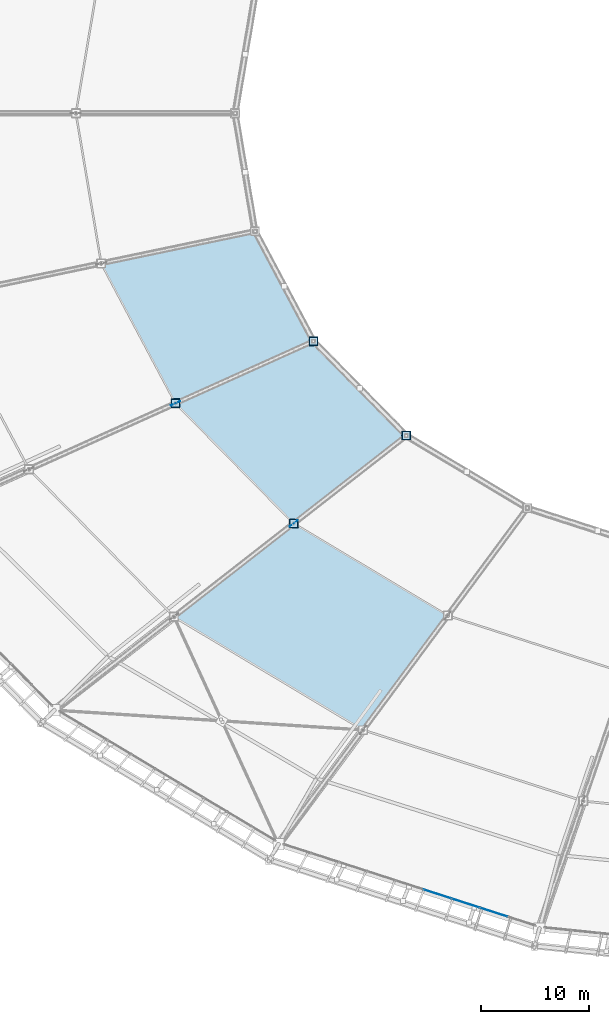
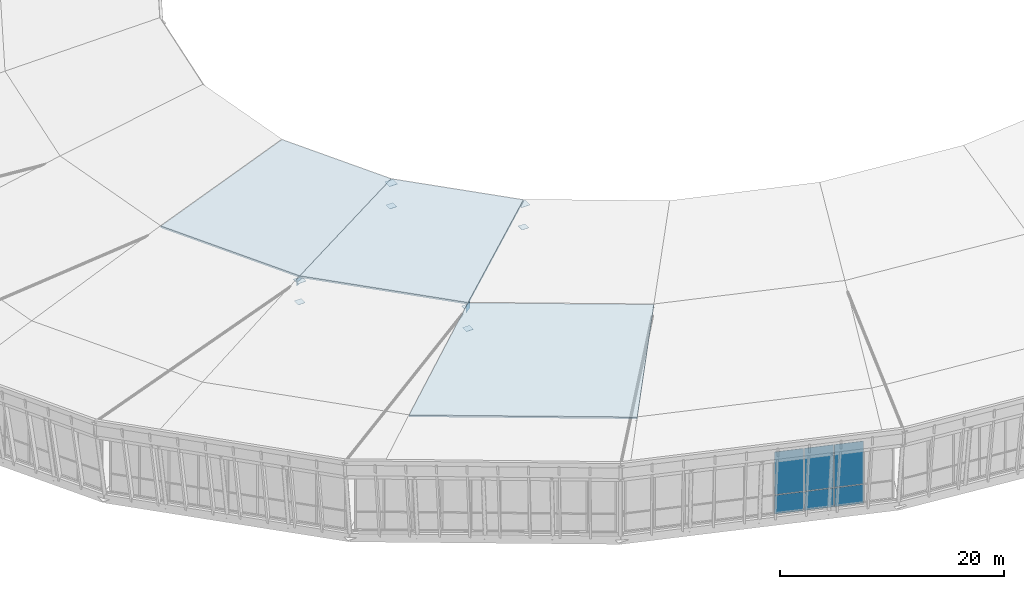
# One storey, part 81 of 115: 16 plates, 3 slabs, 3 elements without a shape of their own.
"""IFC4 building model written with IfcOpenShell, lengths in metres."""

from ifc_helpers import new_model, si_unit, direction, frame, origin, origin_2d, place, context, subcontext, project, spatial, polyline, rectangle, outline, extrude, material, layer, layer_set, type_object, element, aggregate, save


model = new_model("IFC4")

# Units and contexts
model_context = context("Model", 3, precision=1e-05, world=origin(), true_north=direction((0.0, 1.0)))
body_context = subcontext(model_context, "Body", "Model", "MODEL_VIEW")
ifc_project = project(units=[si_unit("LENGTHUNIT", "METRE"), si_unit("AREAUNIT", "SQUARE_METRE"), si_unit("VOLUMEUNIT", "CUBIC_METRE"), si_unit("PLANEANGLEUNIT", "RADIAN"), si_unit("MASSUNIT", "GRAM", prefix="KILO")], contexts=[model_context])

# Site, building, storey
site_placement = place(None, origin())
site = spatial("IfcSite", under=ifc_project, at=site_placement, CompositionType="ELEMENT")
building_placement = place(site_placement, origin())
building = spatial("IfcBuilding", under=site, at=building_placement, Name="Zlatoyarsky Gate Stadium", CompositionType="ELEMENT")
storey_placement = place(building_placement, frame((0.0, 0.0, 31.800048828125)))
storey = spatial("IfcBuildingStorey", under=building, at=storey_placement, Name="RF", CompositionType="ELEMENT", Elevation=31.800048828125)

# Roof, slabs
ifc_material_1 = material(Name="Standing-seam aluminium-zinc roofing with mineral wool insulation", Category="aluminium")
ifc_layer_1 = layer(ifc_material_1, 0.080078125)
ifc_layer_set_1 = layer_set([ifc_layer_1], Name="Standing-seam aluminium-zinc roofing with mineral wool insulation")
roof_type = type_object("IfcRoofType", Name="STADIUM BARREL VAULT ROOF ASSEMBLY", PredefinedType="BARREL_ROOF", material=ifc_layer_set_1)
roof_1_placement = place(storey_placement, origin())
roof_1 = element("IfcRoof", 1, at=roof_1_placement, inside=storey, type_object=roof_type, Name="Stadium barrel arch roof sector 5", PredefinedType="BARREL_ROOF")
ifc_material_2 = material(Name="Concrete C40/50", Category="concrete")
ifc_layer_2 = layer(ifc_material_2, 0.199951171875)
ifc_layer_set_2 = layer_set([ifc_layer_2], Name="Concrete C40/50")
slab_type = type_object("IfcSlabType", Name="COMPOSITE STADIUM ROOF DECK SLAB 200", PredefinedType="ROOF", material=ifc_layer_set_2)
slab_1_placement = place(storey_placement, frame((44.603271484375, 66.1220703125, 6.75), z_axis=(-0.164762027399, -0.087486990583, 0.982445673208), x_axis=(0.468975230927, -0.883211318302, -1.93843e-07)))
slab_1 = element("IfcSlab", 2, at=slab_1_placement, type_object=slab_type, Name="Stadium arched roof deck sector 13 bay 3", PredefinedType="ROOF", context=body_context, shape_type="SweptSolid", body=[
    extrude(outline(polyline([(0.0, 0.0), (14.642444595230506, -1.7763568394002505e-15), (15.550353376214641, 14.204881870937053), (4.044474844243187, 14.204854700251182), (0.0, 0.0)])), origin(), (0.0, 0.0, -1.0), 0.199951171875),
])
slab_2_placement = place(storey_placement, frame((51.47021484375, 53.189697265625, 6.75), z_axis=(-0.141161010432, -0.138856723893, 0.980200173109), x_axis=(0.701268194688, -0.712897551629, 1.130846e-06)))
slab_2 = element("IfcSlab", 3, at=slab_2_placement, type_object=slab_type, Name="Stadium arched roof deck sector 14 bay 3", PredefinedType="ROOF", context=body_context, shape_type="SweptSolid", body=[
    extrude(outline(polyline([(0.0, 0.0), (15.577591870662886, 0.0), (17.088906441996944, 13.382629616332784), (4.848086175728565, 13.382788489483769), (0.0, 0.0)])), origin(), (0.0, 0.0, -1.0), 0.199951171875),
])
aggregate(roof_1, [slab_1, slab_2])

# Roof, slab
roof_2_placement = place(storey_placement, origin())
roof_2 = element("IfcRoof", 4, at=roof_2_placement, inside=storey, type_object=roof_type, Name="Stadium barrel arch roof sector 6", PredefinedType="BARREL_ROOF")
slab_3_placement = place(storey_placement, frame((51.33203125, 33.455322265625, 3.599853515625), z_axis=(-0.120203617004, -0.200821206827, 0.972225248257), x_axis=(0.858036147249, -0.513589300914, -5.91224e-07)))
slab_3 = element("IfcSlab", 5, at=slab_3_placement, type_object=slab_type, Name="Stadium arched roof deck sector 15 bay 2", PredefinedType="ROOF", context=body_context, shape_type="SweptSolid", body=[
    extrude(outline(polyline([(0.0, 0.0), (20.367813062696413, 3.552713678800501e-15), (21.651676168666086, 13.45950735266839), (5.059974218422185, 13.459413989623384), (0.0, 0.0)])), origin(), (0.0, 0.0, -1.0), 0.199951171875),
])
aggregate(roof_2, [slab_3])

# Plates
ifc_material_3 = material(Name="Steel S355", Category="steel")
ifc_layer_3 = layer(ifc_material_3, 0.02392578125)
ifc_layer_set_3 = layer_set([ifc_layer_3], Name="Steel S355")
plate_type_1 = type_object("IfcPlateType", Name="STEEL HOLLOW CHORD SPLICE SHEET 24", PredefinedType="SHEET", material=ifc_layer_set_3)
plate_1_placement = place(storey_placement, frame((51.47021484375, 53.189697265625, 6.2880859375), z_axis=(0.0, 0.0, 1.0), x_axis=(1.0, 0.0, 0.0)))
element("IfcPlate", 6, at=plate_1_placement, inside=storey, type_object=plate_type_1, Name="Node closure plate ND-SP1 NCAP-TCH-14-2", PredefinedType="SHEET", context=body_context, shape_type="SweptSolid", body=[
    extrude(rectangle(XDim=0.85009765625, YDim=0.85009765625, at=origin_2d()), origin(), (0.0, 0.0, 1.0), 0.02392578125),
])
plate_2_placement = place(storey_placement, frame((51.47021484375, 53.189697265625, 3.93798828125), z_axis=(0.0, 0.0, 1.0), x_axis=(1.0, 0.0, 0.0)))
element("IfcPlate", 7, at=plate_2_placement, inside=storey, type_object=plate_type_1, Name="Node closure plate ND-SP1 NCAP-BCH-14-2", PredefinedType="SHEET", context=body_context, shape_type="SweptSolid", body=[
    extrude(rectangle(XDim=0.719970703125, YDim=0.719970703125, at=origin_2d()), origin(), (0.0, 0.0, 1.0), 0.02392578125),
])
plate_3_placement = place(storey_placement, frame((62.394287109375, 42.08447265625, 6.2880859375), z_axis=(0.0, 0.0, 1.0), x_axis=(1.0, 0.0, 0.0)))
element("IfcPlate", 8, at=plate_3_placement, inside=storey, type_object=plate_type_1, Name="Node closure plate ND-SP1 NCAP-TCH-15-2", PredefinedType="SHEET", context=body_context, shape_type="SweptSolid", body=[
    extrude(rectangle(XDim=0.85009765625, YDim=0.85009765625, at=origin_2d()), origin(), (0.0, 0.0, 1.0), 0.02392578125),
])
plate_4_placement = place(storey_placement, frame((62.394287109375, 42.08447265625, 3.93798828125), z_axis=(0.0, 0.0, 1.0), x_axis=(1.0, 0.0, 0.0)))
element("IfcPlate", 9, at=plate_4_placement, inside=storey, type_object=plate_type_1, Name="Node closure plate ND-SP1 NCAP-BCH-15-2", PredefinedType="SHEET", context=body_context, shape_type="SweptSolid", body=[
    extrude(rectangle(XDim=0.719970703125, YDim=0.719970703125, at=origin_2d()), origin(), (0.0, 0.0, 1.0), 0.02392578125),
])
ifc_layer_4 = layer(ifc_material_3, 0.031982421875)
ifc_layer_set_4 = layer_set([ifc_layer_4], Name="Steel S355")
plate_type_2 = type_object("IfcPlateType", Name="STEEL RADIAL TRUSS GUSSET PLATE 32", PredefinedType="USERDEFINED", material=ifc_layer_set_4)
for number, where, z_axis, x_axis, name in (
    (10, (51.47021484375, 53.189697265625, 5.93994140625), (0.0, 0.0, 1.0), (0.911795809075, 0.410643887757, 0.0), "Radial truss gusset plate ND-WB1 14.2"),
    (11, (62.394287109375, 42.08447265625, 5.93994140625), (0.0, 0.0, 1.0), (0.788479093296, 0.615061557436, 0.0), "Radial truss gusset plate ND-WB1 15.2"),
):
    element("IfcPlate", number, at=place(storey_placement, frame(where, z_axis=z_axis, x_axis=x_axis)), inside=storey, type_object=plate_type_2, Name=name, ObjectType="GUSSET PLATE", PredefinedType="USERDEFINED", context=body_context, shape_type="SweptSolid", body=[
        extrude(rectangle(XDim=0.919921875, YDim=0.031982421875, at=origin_2d()), origin(), (0.0, 0.0, 1.0), 0.719970703125),
    ])
ifc_layer_5 = layer(ifc_material_3, 0.02392578125)
ifc_layer_set_5 = layer_set([ifc_layer_5], Name="Steel S355")
plate_type_3 = type_object("IfcPlateType", Name="STEEL TENSION RING NODE CAP SHEET 24", PredefinedType="SHEET", material=ifc_layer_set_5)
plate_5_placement = place(storey_placement, frame((64.2216796875, 58.9326171875, 8.93798828125), z_axis=(0.0, 0.0, 1.0), x_axis=(1.0, 0.0, 0.0)))
element("IfcPlate", 12, at=plate_5_placement, inside=storey, type_object=plate_type_3, Name="Node closure plate ND-TR1 NCAP-TCH-14-3", PredefinedType="SHEET", context=body_context, shape_type="SweptSolid", body=[
    extrude(rectangle(XDim=0.85009765625, YDim=0.85009765625, at=origin_2d()), origin(), (0.0, 0.0, 1.0), 0.02392578125),
])
plate_6_placement = place(storey_placement, frame((64.2216796875, 58.9326171875, 6.43798828125), z_axis=(0.0, 0.0, 1.0), x_axis=(1.0, 0.0, 0.0)))
element("IfcPlate", 13, at=plate_6_placement, inside=storey, type_object=plate_type_3, Name="Node closure plate ND-TR1 NCAP-BCH-14-3", PredefinedType="SHEET", context=body_context, shape_type="SweptSolid", body=[
    extrude(rectangle(XDim=0.719970703125, YDim=0.719970703125, at=origin_2d()), origin(), (0.0, 0.0, 1.0), 0.02392578125),
])
plate_7_placement = place(storey_placement, frame((72.8056640625, 50.2060546875, 8.93798828125), z_axis=(0.0, 0.0, 1.0), x_axis=(1.0, 0.0, 0.0)))
element("IfcPlate", 14, at=plate_7_placement, inside=storey, type_object=plate_type_3, Name="Node closure plate ND-TR1 NCAP-TCH-15-3", PredefinedType="SHEET", context=body_context, shape_type="SweptSolid", body=[
    extrude(rectangle(XDim=0.85009765625, YDim=0.85009765625, at=origin_2d()), origin(), (0.0, 0.0, 1.0), 0.02392578125),
])
plate_8_placement = place(storey_placement, frame((72.8056640625, 50.2060546875, 6.43798828125), z_axis=(0.0, 0.0, 1.0), x_axis=(1.0, 0.0, 0.0)))
element("IfcPlate", 15, at=plate_8_placement, inside=storey, type_object=plate_type_3, Name="Node closure plate ND-TR1 NCAP-BCH-15-3", PredefinedType="SHEET", context=body_context, shape_type="SweptSolid", body=[
    extrude(rectangle(XDim=0.719970703125, YDim=0.719970703125, at=origin_2d()), origin(), (0.0, 0.0, 1.0), 0.02392578125),
])

# Curtain wall, plates
ifc_material_4 = material(Name="Thermally broken anodised aluminium curtain wall", Category="aluminium")
curtain_wall_type = type_object("IfcCurtainWallType", Name="UNITISED SKYBOX RING GLAZING L05", PredefinedType="USERDEFINED", material=ifc_material_4)
curtain_wall_placement = place(storey_placement, origin())
curtain_wall = element("IfcCurtainWall", 16, at=curtain_wall_placement, inside=storey, type_object=curtain_wall_type, Name="Curtain wall CW-RF-16", ObjectType="UNITISED GLAZING", PredefinedType="USERDEFINED")
ifc_material_5 = material(Name="Triple-glazed argon low-e architectural glass", Category="glass")
ifc_layer_6 = layer(ifc_material_5, 0.0380859375)
ifc_layer_set_6 = layer_set([ifc_layer_6], Name="Triple-glazed argon low-e architectural glass")
plate_type_4 = type_object("IfcPlateType", Name="TRIPLE GLAZED LOW E CURTAIN PANEL 38", PredefinedType="CURTAIN_PANEL", material=ifc_layer_set_6)
plate_9_placement = place(storey_placement, frame((75.69384765625, 7.819580078125, 0.06494140625), z_axis=(0.0, 0.0, 1.0), x_axis=(0.951595836439, -0.307352182475, 0.0)))
plate_9 = element("IfcPlate", 17, at=plate_9_placement, type_object=plate_type_4, Name="CW-UG5 panel 6.1", PredefinedType="CURTAIN_PANEL", context=body_context, shape_type="SweptSolid", body=[
    extrude(rectangle(XDim=2.658935546875, YDim=0.0380859375, at=origin_2d()), origin(), (0.0, 0.0, 1.0), 2.052490234375),
])
plate_10_placement = place(storey_placement, frame((75.69384765625, 7.819580078125, 2.1826171875), z_axis=(0.0, 0.0, 1.0), x_axis=(0.951595836439, -0.307352182475, 0.0)))
plate_10 = element("IfcPlate", 18, at=plate_10_placement, type_object=plate_type_4, Name="CW-UG5 panel 6.2", PredefinedType="CURTAIN_PANEL", context=body_context, shape_type="SweptSolid", body=[
    extrude(rectangle(XDim=2.658935546875, YDim=0.0380859375, at=origin_2d()), origin(), (0.0, 0.0, 1.0), 4.652587890625),
])
plate_11_placement = place(storey_placement, frame((78.2861328125, 6.982421875, 0.06494140625), z_axis=(0.0, 0.0, 1.0), x_axis=(0.951595836439, -0.307352182475, 0.0)))
plate_11 = element("IfcPlate", 19, at=plate_11_placement, type_object=plate_type_4, Name="CW-UG5 panel 7.1", PredefinedType="CURTAIN_PANEL", context=body_context, shape_type="SweptSolid", body=[
    extrude(rectangle(XDim=2.658935546875, YDim=0.0380859375, at=origin_2d()), origin(), (0.0, 0.0, 1.0), 2.052490234375),
])
plate_12_placement = place(storey_placement, frame((78.2861328125, 6.982421875, 2.1826171875), z_axis=(0.0, 0.0, 1.0), x_axis=(0.951595836439, -0.307352182475, 0.0)))
plate_12 = element("IfcPlate", 20, at=plate_12_placement, type_object=plate_type_4, Name="CW-UG5 panel 7.2", PredefinedType="CURTAIN_PANEL", context=body_context, shape_type="SweptSolid", body=[
    extrude(rectangle(XDim=2.658935546875, YDim=0.0380859375, at=origin_2d()), origin(), (0.0, 0.0, 1.0), 4.652587890625),
])
plate_13_placement = place(storey_placement, frame((80.87841796875, 6.145263671875, 0.06494140625), z_axis=(0.0, 0.0, 1.0), x_axis=(0.951595836439, -0.307352182475, 0.0)))
plate_13 = element("IfcPlate", 21, at=plate_13_placement, type_object=plate_type_4, Name="CW-UG5 panel 8.1", PredefinedType="CURTAIN_PANEL", context=body_context, shape_type="SweptSolid", body=[
    extrude(rectangle(XDim=2.658935546875, YDim=0.0380859375, at=origin_2d()), origin(), (0.0, 0.0, 1.0), 2.052490234375),
])
plate_14_placement = place(storey_placement, frame((80.87841796875, 6.145263671875, 2.1826171875), z_axis=(0.0, 0.0, 1.0), x_axis=(0.951595836439, -0.307352182475, 0.0)))
plate_14 = element("IfcPlate", 22, at=plate_14_placement, type_object=plate_type_4, Name="CW-UG5 panel 8.2", PredefinedType="CURTAIN_PANEL", context=body_context, shape_type="SweptSolid", body=[
    extrude(rectangle(XDim=2.658935546875, YDim=0.0380859375, at=origin_2d()), origin(), (0.0, 0.0, 1.0), 4.652587890625),
])
aggregate(curtain_wall, [plate_9, plate_10, plate_11, plate_12, plate_13, plate_14])

save(model, "model.ifc")
